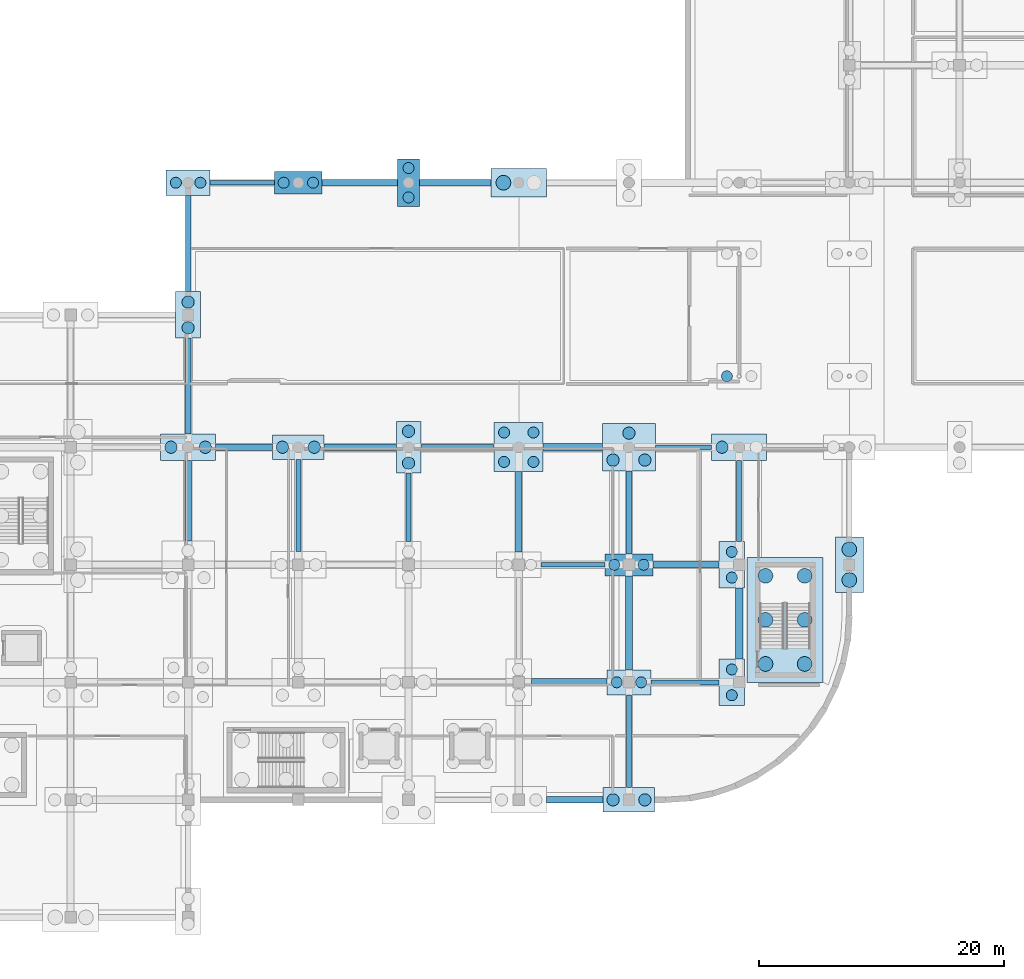
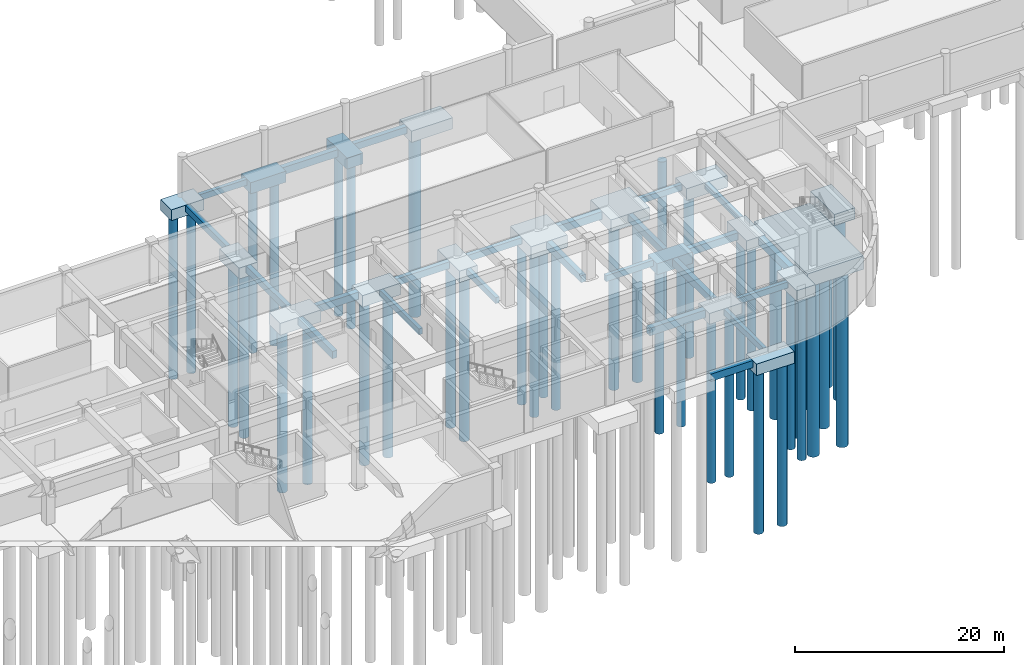
# One storey, part 4 of 47: 42 footings, 42 piles.
"""IFC4 building model written with IfcOpenShell, lengths in metres."""

from ifc_helpers import new_model, si_unit, direction, frame, origin, origin_2d, place, context, subcontext, project, spatial, rectangle, circle, extrude, material, material_profile, profile_set, type_object, element, save


model = new_model("IFC4")

# Units and contexts
model_context = context("Model", 3, precision=1e-05, world=origin(), true_north=direction((0.0, 1.0)))
body_context = subcontext(model_context, "Body", "Model", "MODEL_VIEW")
ifc_project = project(units=[si_unit("LENGTHUNIT", "METRE"), si_unit("AREAUNIT", "SQUARE_METRE"), si_unit("VOLUMEUNIT", "CUBIC_METRE"), si_unit("PLANEANGLEUNIT", "RADIAN"), si_unit("MASSUNIT", "GRAM", prefix="KILO")], contexts=[model_context])

# Site, building, storey
site_placement = place(None, origin())
site = spatial("IfcSite", under=ifc_project, at=site_placement, CompositionType="ELEMENT")
building_placement = place(site_placement, origin())
building = spatial("IfcBuilding", under=site, at=building_placement, Name="Cendralis Terraced Arcade", CompositionType="ELEMENT")
storey_placement = place(building_placement, frame((0.0, 0.0, -4.800048828125)))
storey = spatial("IfcBuildingStorey", under=building, at=storey_placement, Name="B1", CompositionType="ELEMENT", Elevation=-4.800048828125)

# Footings
ifc_material = material(Name="Concrete f'c 35 MPa", Category="concrete")
ifc_material_profile_1 = material_profile(ifc_material, rectangle(XDim=0.39990234375, YDim=0.699951171875, at=origin_2d()), Name="FB-400x700", Category="LoadBearing")
ifc_profile_set_1 = profile_set([ifc_material_profile_1], Name="Concrete f'c 35 MPa")
footing_type_1 = type_object("IfcFootingType", Name="FB-400x700", PredefinedType="FOOTING_BEAM", material=ifc_profile_set_1)
footing_1_placement = place(storey_placement, frame((105.0, 19.199951171875, -0.800048828125), z_axis=(1.0, 0.0, 0.0), x_axis=(0.0, 1.0, 0.0)))
element("IfcFooting", 1, at=footing_1_placement, inside=storey, type_object=footing_type_1, Name="Reinforced Concrete Foundation Tie Beam FB-X-0029", PredefinedType="FOOTING_BEAM", context=body_context, shape_type="SweptSolid", body=[
    extrude(rectangle(XDim=0.39990234375, YDim=0.699951171875, at=origin_2d()), origin(), (0.0, 0.0, 1.0), 5.574951171875),
])
footing_2_placement = place(storey_placement, frame((96.0, 28.800048828125, -0.800048828125), z_axis=(1.0, 0.0, 0.0), x_axis=(0.0, 1.0, 0.0)))
element("IfcFooting", 2, at=footing_2_placement, inside=storey, type_object=footing_type_1, Name="Reinforced Concrete Foundation Tie Beam FB-X-0039", PredefinedType="FOOTING_BEAM", context=body_context, shape_type="SweptSolid", body=[
    extrude(rectangle(XDim=0.39990234375, YDim=0.699951171875, at=origin_2d()), origin(), (0.0, 0.0, 1.0), 5.25),
])
footing_3_placement = place(storey_placement, frame((105.35009765625, 38.39990234375, -0.800048828125), z_axis=(1.0, 0.0, 0.0), x_axis=(0.0, 1.0, 0.0)))
element("IfcFooting", 3, at=footing_3_placement, inside=storey, type_object=footing_type_1, Name="Reinforced Concrete Foundation Tie Beam FB-X-0049", PredefinedType="FOOTING_BEAM", context=body_context, shape_type="SweptSolid", body=[
    extrude(rectangle(XDim=0.39990234375, YDim=0.699951171875, at=origin_2d()), origin(), (0.0, 0.0, 1.0), 4.599853515625),
])
footing_4_placement = place(storey_placement, frame((69.0, 60.0, -0.800048828125), z_axis=(1.0, 0.0, 0.0), x_axis=(0.0, 1.0, 0.0)))
element("IfcFooting", 4, at=footing_4_placement, inside=storey, type_object=footing_type_1, Name="Reinforced Concrete Foundation Tie Beam FB-X-0069", PredefinedType="FOOTING_BEAM", context=body_context, shape_type="SweptSolid", body=[
    extrude(rectangle(XDim=0.39990234375, YDim=0.699951171875, at=origin_2d()), origin(), (0.0, 0.0, 1.0), 5.25),
])
footing_5_placement = place(storey_placement, frame((76.199951171875, 29.875, -0.800048828125), z_axis=(0.0, 1.0, 0.0), x_axis=(-1.0, 0.0, 0.0)))
element("IfcFooting", 5, at=footing_5_placement, inside=storey, type_object=footing_type_1, Name="Reinforced Concrete Foundation Tie Beam FB-Y-0214", PredefinedType="FOOTING_BEAM", context=body_context, shape_type="SweptSolid", body=[
    extrude(rectangle(XDim=0.39990234375, YDim=0.699951171875, at=origin_2d()), origin(), (0.0, 0.0, 1.0), 7.52490234375),
])
footing_6_placement = place(storey_placement, frame((85.199951171875, 30.699951171875, -0.800048828125), z_axis=(0.0, 1.0, 0.0), x_axis=(-1.0, 0.0, 0.0)))
element("IfcFooting", 6, at=footing_6_placement, inside=storey, type_object=footing_type_1, Name="Reinforced Concrete Foundation Tie Beam FB-Y-0219", PredefinedType="FOOTING_BEAM", context=body_context, shape_type="SweptSolid", body=[
    extrude(rectangle(XDim=0.39990234375, YDim=0.699951171875, at=origin_2d()), origin(), (0.0, 0.0, 1.0), 5.60009765625),
])
footing_7_placement = place(storey_placement, frame((103.199951171875, 10.60009765625, -0.800048828125), z_axis=(0.0, 1.0, 0.0), x_axis=(-1.0, 0.0, 0.0)))
element("IfcFooting", 7, at=footing_7_placement, inside=storey, type_object=footing_type_1, Name="Reinforced Concrete Foundation Tie Beam FB-Y-0229", PredefinedType="FOOTING_BEAM", context=body_context, shape_type="SweptSolid", body=[
    extrude(rectangle(XDim=0.39990234375, YDim=0.699951171875, at=origin_2d()), origin(), (0.0, 0.0, 1.0), 7.574951171875),
])
footing_8_placement = place(storey_placement, frame((112.199951171875, 30.699951171875, -0.800048828125), z_axis=(0.0, 1.0, 0.0), x_axis=(-1.0, 0.0, 0.0)))
element("IfcFooting", 8, at=footing_8_placement, inside=storey, type_object=footing_type_1, Name="Reinforced Concrete Foundation Tie Beam FB-Y-0234", PredefinedType="FOOTING_BEAM", context=body_context, shape_type="SweptSolid", body=[
    extrude(rectangle(XDim=0.39990234375, YDim=0.699951171875, at=origin_2d()), origin(), (0.0, 0.0, 1.0), 6.625),
])
ifc_material_profile_2 = material_profile(ifc_material, rectangle(XDim=0.449951171875, YDim=0.75, at=origin_2d()), Name="FB-450x750", Category="LoadBearing")
ifc_profile_set_2 = profile_set([ifc_material_profile_2], Name="Concrete f'c 35 MPa")
footing_type_2 = type_object("IfcFootingType", Name="FB-450x750", PredefinedType="FOOTING_BEAM", material=ifc_profile_set_2)
footing_9_placement = place(storey_placement, frame((86.199951171875, 38.39990234375, -0.824951171875), z_axis=(1.0, 0.0, 0.0), x_axis=(0.0, 1.0, 0.0)))
element("IfcFooting", 9, at=footing_9_placement, inside=storey, type_object=footing_type_2, Name="Reinforced Concrete Foundation Tie Beam FB-X-0047", PredefinedType="FOOTING_BEAM", context=body_context, shape_type="SweptSolid", body=[
    extrude(rectangle(XDim=0.449951171875, YDim=0.75, at=origin_2d()), origin(), (0.0, 0.0, 1.0), 6.0),
])
footing_10_placement = place(storey_placement, frame((67.199951171875, 51.10009765625, -0.824951171875), z_axis=(0.0, 1.0, 0.0), x_axis=(-1.0, 0.0, 0.0)))
element("IfcFooting", 10, at=footing_10_placement, inside=storey, type_object=footing_type_2, Name="Reinforced Concrete Foundation Tie Beam FB-Y-0207", PredefinedType="FOOTING_BEAM", context=body_context, shape_type="SweptSolid", body=[
    extrude(rectangle(XDim=0.449951171875, YDim=0.75, at=origin_2d()), origin(), (0.0, 0.0, 1.0), 7.875),
])
ifc_material_profile_3 = material_profile(ifc_material, rectangle(XDim=0.5, YDim=0.800048828125, at=origin_2d()), Name="FB-500x800", Category="LoadBearing")
ifc_profile_set_3 = profile_set([ifc_material_profile_3], Name="Concrete f'c 35 MPa")
footing_type_3 = type_object("IfcFootingType", Name="FB-500x800", PredefinedType="FOOTING_BEAM", material=ifc_profile_set_3)
footing_11_placement = place(storey_placement, frame((78.300048828125, 38.39990234375, -0.849853515625), z_axis=(1.0, 0.0, 0.0), x_axis=(0.0, 1.0, 0.0)))
element("IfcFooting", 11, at=footing_11_placement, inside=storey, type_object=footing_type_3, Name="Reinforced Concrete Foundation Tie Beam FB-X-0046", PredefinedType="FOOTING_BEAM", context=body_context, shape_type="SweptSolid", body=[
    extrude(rectangle(XDim=0.5, YDim=0.800048828125, at=origin_2d()), origin(), (0.0, 0.0, 1.0), 5.89990234375),
])
footing_12_placement = place(storey_placement, frame((86.10009765625, 60.0, -0.849853515625), z_axis=(1.0, 0.0, 0.0), x_axis=(0.0, 1.0, 0.0)))
element("IfcFooting", 12, at=footing_12_placement, inside=storey, type_object=footing_type_3, Name="Reinforced Concrete Foundation Tie Beam FB-X-0071", PredefinedType="FOOTING_BEAM", context=body_context, shape_type="SweptSolid", body=[
    extrude(rectangle(XDim=0.5, YDim=0.800048828125, at=origin_2d()), origin(), (0.0, 0.0, 1.0), 5.81982421875),
])
footing_13_placement = place(storey_placement, frame((67.199951171875, 39.47509765625, -0.849853515625), z_axis=(0.0, 1.0, 0.0), x_axis=(-1.0, 0.0, 0.0)))
element("IfcFooting", 13, at=footing_13_placement, inside=storey, type_object=footing_type_3, Name="Reinforced Concrete Foundation Tie Beam FB-Y-0206", PredefinedType="FOOTING_BEAM", context=body_context, shape_type="SweptSolid", body=[
    extrude(rectangle(XDim=0.5, YDim=0.800048828125, at=origin_2d()), origin(), (0.0, 0.0, 1.0), 7.824951171875),
])
footing_14_placement = place(storey_placement, frame((103.199951171875, 29.699951171875, -0.849853515625), z_axis=(0.0, 1.0, 0.0), x_axis=(-1.0, 0.0, 0.0)))
element("IfcFooting", 14, at=footing_14_placement, inside=storey, type_object=footing_type_3, Name="Reinforced Concrete Foundation Tie Beam FB-Y-0231", PredefinedType="FOOTING_BEAM", context=body_context, shape_type="SweptSolid", body=[
    extrude(rectangle(XDim=0.5, YDim=0.800048828125, at=origin_2d()), origin(), (0.0, 0.0, 1.0), 6.75),
])
ifc_material_profile_4 = material_profile(ifc_material, rectangle(XDim=0.550048828125, YDim=0.85009765625, at=origin_2d()), Name="FB-550x850", Category="LoadBearing")
ifc_profile_set_4 = profile_set([ifc_material_profile_4], Name="Concrete f'c 35 MPa")
footing_type_4 = type_object("IfcFootingType", Name="FB-550x850", PredefinedType="FOOTING_BEAM", material=ifc_profile_set_4)
footing_15_placement = place(storey_placement, frame((96.449951171875, 9.60009765625, -0.875), z_axis=(1.0, 0.0, 0.0), x_axis=(0.0, 1.0, 0.0)))
element("IfcFooting", 15, at=footing_15_placement, inside=storey, type_object=footing_type_4, Name="Reinforced Concrete Foundation Tie Beam FB-X-0015", PredefinedType="FOOTING_BEAM", context=body_context, shape_type="SweptSolid", body=[
    extrude(rectangle(XDim=0.550048828125, YDim=0.85009765625, at=origin_2d()), origin(), (0.0, 0.0, 1.0), 4.650146484375),
])
footing_16_placement = place(storey_placement, frame((105.14990234375, 28.800048828125, -0.875), z_axis=(1.0, 0.0, 0.0), x_axis=(0.0, 1.0, 0.0)))
element("IfcFooting", 16, at=footing_16_placement, inside=storey, type_object=footing_type_4, Name="Reinforced Concrete Foundation Tie Beam FB-X-0040", PredefinedType="FOOTING_BEAM", context=body_context, shape_type="SweptSolid", body=[
    extrude(rectangle(XDim=0.550048828125, YDim=0.85009765625, at=origin_2d()), origin(), (0.0, 0.0, 1.0), 5.425048828125),
])
footing_17_placement = place(storey_placement, frame((69.449951171875, 38.39990234375, -0.875), z_axis=(1.0, 0.0, 0.0), x_axis=(0.0, 1.0, 0.0)))
element("IfcFooting", 17, at=footing_17_placement, inside=storey, type_object=footing_type_4, Name="Reinforced Concrete Foundation Tie Beam FB-X-0045", PredefinedType="FOOTING_BEAM", context=body_context, shape_type="SweptSolid", body=[
    extrude(rectangle(XDim=0.550048828125, YDim=0.85009765625, at=origin_2d()), origin(), (0.0, 0.0, 1.0), 4.650146484375),
])
footing_18_placement = place(storey_placement, frame((78.14990234375, 60.0, -0.875), z_axis=(1.0, 0.0, 0.0), x_axis=(0.0, 1.0, 0.0)))
element("IfcFooting", 18, at=footing_18_placement, inside=storey, type_object=footing_type_4, Name="Reinforced Concrete Foundation Tie Beam FB-X-0070", PredefinedType="FOOTING_BEAM", context=body_context, shape_type="SweptSolid", body=[
    extrude(rectangle(XDim=0.550048828125, YDim=0.85009765625, at=origin_2d()), origin(), (0.0, 0.0, 1.0), 6.150146484375),
])
for number, where, z_axis, x_axis, name in (
    (19, (67.199951171875, 30.75, -0.875), (0.0, 1.0, 0.0), (-1.0, 0.0, 0.0), "Reinforced Concrete Foundation Tie Beam FB-Y-0205"),
    (20, (94.199951171875, 29.824951171875, -0.875), (0.0, 1.0, 0.0), (-1.0, 0.0, 0.0), "Reinforced Concrete Foundation Tie Beam FB-Y-0225"),
):
    element("IfcFooting", number, at=place(storey_placement, frame(where, z_axis=z_axis, x_axis=x_axis)), inside=storey, type_object=footing_type_4, Name=name, PredefinedType="FOOTING_BEAM", context=body_context, shape_type="SweptSolid", body=[
        extrude(rectangle(XDim=0.550048828125, YDim=0.85009765625, at=origin_2d()), origin(), (0.0, 0.0, 1.0), 6.574951171875),
    ])
footing_19_placement = place(storey_placement, frame((103.199951171875, 20.22509765625, -0.875), z_axis=(0.0, 1.0, 0.0), x_axis=(-1.0, 0.0, 0.0)))
element("IfcFooting", 21, at=footing_19_placement, inside=storey, type_object=footing_type_4, Name="Reinforced Concrete Foundation Tie Beam FB-Y-0230", PredefinedType="FOOTING_BEAM", context=body_context, shape_type="SweptSolid", body=[
    extrude(rectangle(XDim=0.550048828125, YDim=0.85009765625, at=origin_2d()), origin(), (0.0, 0.0, 1.0), 7.6748046875),
])
ifc_material_profile_5 = material_profile(ifc_material, rectangle(XDim=0.60009765625, YDim=0.89990234375, at=origin_2d()), Name="FB-600x900", Category="LoadBearing")
ifc_profile_set_5 = profile_set([ifc_material_profile_5], Name="Concrete f'c 35 MPa")
footing_type_5 = type_object("IfcFootingType", Name="FB-600x900", PredefinedType="FOOTING_BEAM", material=ifc_profile_set_5)
footing_20_placement = place(storey_placement, frame((95.22509765625, 19.199951171875, -0.89990234375), z_axis=(1.0, 0.0, 0.0), x_axis=(0.0, 1.0, 0.0)))
element("IfcFooting", 22, at=footing_20_placement, inside=storey, type_object=footing_type_5, Name="Reinforced Concrete Foundation Tie Beam FB-X-0028", PredefinedType="FOOTING_BEAM", context=body_context, shape_type="SweptSolid", body=[
    extrude(rectangle(XDim=0.60009765625, YDim=0.89990234375, at=origin_2d()), origin(), (0.0, 0.0, 1.0), 6.1748046875),
])
footing_21_placement = place(storey_placement, frame((96.199951171875, 38.39990234375, -0.89990234375), z_axis=(1.0, 0.0, 0.0), x_axis=(0.0, 1.0, 0.0)))
element("IfcFooting", 23, at=footing_21_placement, inside=storey, type_object=footing_type_5, Name="Reinforced Concrete Foundation Tie Beam FB-X-0048", PredefinedType="FOOTING_BEAM", context=body_context, shape_type="SweptSolid", body=[
    extrude(rectangle(XDim=0.60009765625, YDim=0.89990234375, at=origin_2d()), origin(), (0.0, 0.0, 1.0), 4.85009765625),
])
footing_22_placement = place(storey_placement, frame((112.199951171875, 21.10009765625, -0.89990234375), z_axis=(0.0, 1.0, 0.0), x_axis=(-1.0, 0.0, 0.0)))
element("IfcFooting", 24, at=footing_22_placement, inside=storey, type_object=footing_type_5, Name="Reinforced Concrete Foundation Tie Beam FB-Y-0233", PredefinedType="FOOTING_BEAM", context=body_context, shape_type="SweptSolid", body=[
    extrude(rectangle(XDim=0.60009765625, YDim=0.89990234375, at=origin_2d()), origin(), (0.0, 0.0, 1.0), 5.7998046875),
])
footing_type_6 = type_object("IfcFootingType", Name="PC-2P-1800x3900x1300", PredefinedType="PILE_CAP", material=ifc_material)
footing_23_placement = place(storey_placement, frame((85.199951171875, 60.0, -1.75), z_axis=(0.0, 0.0, 1.0), x_axis=(1.0, 0.0, 0.0)))
element("IfcFooting", 25, at=footing_23_placement, inside=storey, type_object=footing_type_6, Name="Reinforced Concrete Bored Pile Cap CAP-G10-G", PredefinedType="PILE_CAP", context=body_context, shape_type="SweptSolid", body=[
    extrude(rectangle(XDim=1.800048828125, YDim=3.89990234375, at=origin_2d()), origin(), (0.0, 0.0, 1.0), 1.300048828125),
])
footing_type_7 = type_object("IfcFootingType", Name="PC-2P-2000x4200x1350", PredefinedType="PILE_CAP", material=ifc_material)
footing_24_placement = place(storey_placement, frame((85.199951171875, 38.39990234375, -1.800048828125), z_axis=(0.0, 0.0, 1.0), x_axis=(1.0, 0.0, 0.0)))
element("IfcFooting", 26, at=footing_24_placement, inside=storey, type_object=footing_type_7, Name="Reinforced Concrete Bored Pile Cap CAP-G10-E", PredefinedType="PILE_CAP", context=body_context, shape_type="SweptSolid", body=[
    extrude(rectangle(XDim=2.0, YDim=4.199951171875, at=origin_2d()), origin(), (0.0, 0.0, 1.0), 1.35009765625),
])
footing_type_8 = type_object("IfcFootingType", Name="PC-2P-2050x3800x1280", PredefinedType="PILE_CAP", material=ifc_material)
for number, where, z_axis, x_axis, name in (
    (27, (111.60009765625, 19.199951171875, -1.72998046875), (0.0, 0.0, 1.0), (1.0, 0.0, 0.0), "Reinforced Concrete Bored Pile Cap CAP-G13-C"),
    (28, (111.60009765625, 28.800048828125, -1.72998046875), (0.0, 0.0, 1.0), (1.0, 0.0, 0.0), "Reinforced Concrete Bored Pile Cap CAP-G13-D"),
    (29, (67.199951171875, 49.199951171875, -1.72998046875), (0.0, 0.0, 1.0), (1.0, 0.0, 0.0), "Reinforced Concrete Bored Pile Cap CAP-G8-F"),
):
    element("IfcFooting", number, at=place(storey_placement, frame(where, z_axis=z_axis, x_axis=x_axis)), inside=storey, type_object=footing_type_8, Name=name, PredefinedType="PILE_CAP", context=body_context, shape_type="SweptSolid", body=[
        extrude(rectangle(XDim=2.050048828125, YDim=3.800048828125, at=origin_2d()), origin(), (0.0, 0.0, 1.0), 1.280029296875),
    ])
footing_type_9 = type_object("IfcFootingType", Name="PC-2P-2300x4560x1320", PredefinedType="PILE_CAP", material=ifc_material)
footing_25_placement = place(storey_placement, frame((121.199951171875, 28.800048828125, -1.77001953125), z_axis=(0.0, 0.0, 1.0), x_axis=(1.0, 0.0, 0.0)))
element("IfcFooting", 30, at=footing_25_placement, inside=storey, type_object=footing_type_9, Name="Reinforced Concrete Bored Pile Cap CAP-G14-D", PredefinedType="PILE_CAP", context=body_context, shape_type="SweptSolid", body=[
    extrude(rectangle(XDim=2.300048828125, YDim=4.56005859375, at=origin_2d()), origin(), (0.0, 0.0, 1.0), 1.320068359375),
])
footing_type_10 = type_object("IfcFootingType", Name="PC-2P-3600x2050x1260", PredefinedType="PILE_CAP", material=ifc_material)
for number, where, z_axis, x_axis, name in (
    (31, (103.199951171875, 19.199951171875, -1.7099609375), (0.0, 0.0, 1.0), (1.0, 0.0, 0.0), "Reinforced Concrete Bored Pile Cap CAP-G12-C"),
    (32, (67.199951171875, 60.0, -1.7099609375), (0.0, 0.0, 1.0), (1.0, 0.0, 0.0), "Reinforced Concrete Bored Pile Cap CAP-G8-G"),
):
    element("IfcFooting", number, at=place(storey_placement, frame(where, z_axis=z_axis, x_axis=x_axis)), inside=storey, type_object=footing_type_10, Name=name, PredefinedType="PILE_CAP", context=body_context, shape_type="SweptSolid", body=[
        extrude(rectangle(XDim=3.60009765625, YDim=2.050048828125, at=origin_2d()), origin(), (0.0, 0.0, 1.0), 1.260009765625),
    ])
footing_type_11 = type_object("IfcFootingType", Name="PC-2P-3900x1800x1300", PredefinedType="PILE_CAP", material=ifc_material)
for number, where, z_axis, x_axis, name in (
    (33, (103.199951171875, 28.800048828125, -1.75), (0.0, 0.0, 1.0), (1.0, 0.0, 0.0), "Reinforced Concrete Bored Pile Cap CAP-G12-D"),
    (34, (76.199951171875, 60.0, -1.75), (0.0, 0.0, 1.0), (1.0, 0.0, 0.0), "Reinforced Concrete Bored Pile Cap CAP-G9-G"),
):
    element("IfcFooting", number, at=place(storey_placement, frame(where, z_axis=z_axis, x_axis=x_axis)), inside=storey, type_object=footing_type_11, Name=name, PredefinedType="PILE_CAP", context=body_context, shape_type="SweptSolid", body=[
        extrude(rectangle(XDim=3.89990234375, YDim=1.800048828125, at=origin_2d()), origin(), (0.0, 0.0, 1.0), 1.300048828125),
    ])
footing_type_12 = type_object("IfcFootingType", Name="PC-2P-4200x2000x1350", PredefinedType="PILE_CAP", material=ifc_material)
for number, where, z_axis, x_axis, name in (
    (35, (103.199951171875, 9.60009765625, -1.800048828125), (0.0, 0.0, 1.0), (1.0, 0.0, 0.0), "Reinforced Concrete Bored Pile Cap CAP-G12-B"),
    (36, (76.199951171875, 38.39990234375, -1.800048828125), (0.0, 0.0, 1.0), (1.0, 0.0, 0.0), "Reinforced Concrete Bored Pile Cap CAP-G9-E"),
):
    element("IfcFooting", number, at=place(storey_placement, frame(where, z_axis=z_axis, x_axis=x_axis)), inside=storey, type_object=footing_type_12, Name=name, PredefinedType="PILE_CAP", context=body_context, shape_type="SweptSolid", body=[
        extrude(rectangle(XDim=4.199951171875, YDim=2.0, at=origin_2d()), origin(), (0.0, 0.0, 1.0), 1.35009765625),
    ])
footing_type_13 = type_object("IfcFootingType", Name="PC-2P-4500x2150x1380", PredefinedType="PILE_CAP", material=ifc_material)
for number, where, z_axis, x_axis, name in (
    (37, (112.199951171875, 38.39990234375, -1.829833984375), (0.0, 0.0, 1.0), (1.0, 0.0, 0.0), "Reinforced Concrete Bored Pile Cap CAP-G13-E"),
    (38, (67.199951171875, 38.39990234375, -1.829833984375), (0.0, 0.0, 1.0), (1.0, 0.0, 0.0), "Reinforced Concrete Bored Pile Cap CAP-G8-E"),
):
    element("IfcFooting", number, at=place(storey_placement, frame(where, z_axis=z_axis, x_axis=x_axis)), inside=storey, type_object=footing_type_13, Name=name, PredefinedType="PILE_CAP", context=body_context, shape_type="SweptSolid", body=[
        extrude(rectangle(XDim=4.5, YDim=2.14990234375, at=origin_2d()), origin(), (0.0, 0.0, 1.0), 1.3798828125),
    ])
footing_type_14 = type_object("IfcFootingType", Name="PC-2P-4560x2300x1320", PredefinedType="PILE_CAP", material=ifc_material)
footing_26_placement = place(storey_placement, frame((94.199951171875, 60.0, -1.77001953125), z_axis=(0.0, 0.0, 1.0), x_axis=(1.0, 0.0, 0.0)))
element("IfcFooting", 39, at=footing_26_placement, inside=storey, type_object=footing_type_14, Name="Reinforced Concrete Bored Pile Cap CAP-G11-G", PredefinedType="PILE_CAP", context=body_context, shape_type="SweptSolid", body=[
    extrude(rectangle(XDim=4.56005859375, YDim=2.300048828125, at=origin_2d()), origin(), (0.0, 0.0, 1.0), 1.320068359375),
])
footing_type_15 = type_object("IfcFootingType", Name="PC-3P-4300x3900x1400", PredefinedType="PILE_CAP", material=ifc_material)
footing_27_placement = place(storey_placement, frame((103.199951171875, 38.39990234375, -1.849853515625), z_axis=(0.0, 0.0, 1.0), x_axis=(1.0, 0.0, 0.0)))
element("IfcFooting", 40, at=footing_27_placement, inside=storey, type_object=footing_type_15, Name="Reinforced Concrete Bored Pile Cap CAP-G12-E", PredefinedType="PILE_CAP", context=body_context, shape_type="SweptSolid", body=[
    extrude(rectangle(XDim=4.300048828125, YDim=3.89990234375, at=origin_2d()), origin(), (0.0, 0.0, 1.0), 1.39990234375),
])
footing_type_16 = type_object("IfcFootingType", Name="PC-4P-4000x4000x1450", PredefinedType="PILE_CAP", material=ifc_material)
footing_28_placement = place(storey_placement, frame((94.199951171875, 38.39990234375, -1.89990234375), z_axis=(0.0, 0.0, 1.0), x_axis=(1.0, 0.0, 0.0)))
element("IfcFooting", 41, at=footing_28_placement, inside=storey, type_object=footing_type_16, Name="Reinforced Concrete Bored Pile Cap CAP-G11-E", PredefinedType="PILE_CAP", context=body_context, shape_type="SweptSolid", body=[
    extrude(rectangle(XDim=4.0, YDim=4.0, at=origin_2d()), origin(), (0.0, 0.0, 1.0), 1.449951171875),
])
footing_type_17 = type_object("IfcFootingType", Name="PC-CORE-6200x10200x1600", PredefinedType="PILE_CAP", material=ifc_material)
footing_29_placement = place(storey_placement, frame((115.949951171875, 24.300048828125, -2.050048828125), z_axis=(0.0, 0.0, 1.0), x_axis=(1.0, 0.0, 0.0)))
element("IfcFooting", 42, at=footing_29_placement, inside=storey, type_object=footing_type_17, Name="Reinforced Concrete Bored Pile Cap CAP-ST-09", PredefinedType="PILE_CAP", context=body_context, shape_type="SweptSolid", body=[
    extrude(rectangle(XDim=6.199951171875, YDim=10.199951171875, at=origin_2d()), origin(), (0.0, 0.0, 1.0), 1.60009765625),
])

# Piles
ifc_material_profile_6 = material_profile(ifc_material, circle(Radius=0.5, at=origin_2d()), Name="PILE-D1000", Category="LoadBearing")
ifc_profile_set_6 = profile_set([ifc_material_profile_6], Name="Concrete f'c 35 MPa")
pile_type_1 = type_object("IfcPileType", Name="PILE-1000", PredefinedType="BORED", material=ifc_profile_set_6)
for number, where, z_axis, x_axis, name in (
    (43, (85.199951171875, 37.10009765625, -1.699951171875), (0.0, 0.0, -1.0), (1.0, 0.0, 0.0), "Bored Concrete Pile PILE-C-CAP-G10-E-2-0_-130"),
    (44, (85.199951171875, 39.699951171875, -1.699951171875), (0.0, 0.0, -1.0), (1.0, 0.0, 0.0), "Bored Concrete Pile PILE-C-CAP-G10-E-2-0_130"),
    (45, (101.89990234375, 9.60009765625, -1.699951171875), (0.0, 0.0, -1.0), (1.0, 0.0, 0.0), "Bored Concrete Pile PILE-C-CAP-G12-B-2--130_0"),
    (46, (104.5, 9.60009765625, -1.699951171875), (0.0, 0.0, -1.0), (1.0, 0.0, 0.0), "Bored Concrete Pile PILE-C-CAP-G12-B-2-130_0"),
):
    element("IfcPile", number, at=place(storey_placement, frame(where, z_axis=z_axis, x_axis=x_axis)), inside=storey, type_object=pile_type_1, Name=name, PredefinedType="BORED", context=body_context, shape_type="SweptSolid", body=[
        extrude(circle(Radius=0.5, at=origin_2d()), origin(), (0.0, 0.0, 1.0), 19.199951171875),
    ])
for number, where, z_axis, x_axis, name in (
    (47, (101.89990234375, 37.35009765625, -1.75), (0.0, 0.0, -1.0), (1.0, 0.0, 0.0), "Bored Concrete Pile PILE-C-CAP-G12-E-3--130_-105"),
    (48, (104.5, 37.35009765625, -1.75), (0.0, 0.0, -1.0), (1.0, 0.0, 0.0), "Bored Concrete Pile PILE-C-CAP-G12-E-3-130_-105"),
    (49, (103.199951171875, 39.550048828125, -1.75), (0.0, 0.0, -1.0), (1.0, 0.0, 0.0), "Bored Concrete Pile PILE-C-CAP-G12-E-3-0_115"),
):
    element("IfcPile", number, at=place(storey_placement, frame(where, z_axis=z_axis, x_axis=x_axis)), inside=storey, type_object=pile_type_1, Name=name, PredefinedType="BORED", context=body_context, shape_type="SweptSolid", body=[
        extrude(circle(Radius=0.5, at=origin_2d()), origin(), (0.0, 0.0, 1.0), 19.14990234375),
    ])
for number, where, z_axis, x_axis, name in (
    (50, (110.800048828125, 38.39990234375, -1.72998046875), (0.0, 0.0, -1.0), (1.0, 0.0, 0.0), "Bored Concrete Pile PILE-C-CAP-G13-E-2--140_0"),
    (51, (65.800048828125, 38.39990234375, -1.72998046875), (0.0, 0.0, -1.0), (1.0, 0.0, 0.0), "Bored Concrete Pile PILE-C-CAP-G8-E-2--140_0"),
    (52, (68.60009765625, 38.39990234375, -1.72998046875), (0.0, 0.0, -1.0), (1.0, 0.0, 0.0), "Bored Concrete Pile PILE-C-CAP-G8-E-2-140_0"),
):
    element("IfcPile", number, at=place(storey_placement, frame(where, z_axis=z_axis, x_axis=x_axis)), inside=storey, type_object=pile_type_1, Name=name, PredefinedType="BORED", context=body_context, shape_type="SweptSolid", body=[
        extrude(circle(Radius=0.5, at=origin_2d()), origin(), (0.0, 0.0, 1.0), 19.169921875),
    ])
for number, where, z_axis, x_axis, name in (
    (53, (67.199951171875, 48.14990234375, -1.6298828125), (0.0, 0.0, -1.0), (1.0, 0.0, 0.0), "Bored Concrete Pile PILE-C-CAP-G8-F-1-0_-105"),
    (54, (67.199951171875, 50.25, -1.6298828125), (0.0, 0.0, -1.0), (1.0, 0.0, 0.0), "Bored Concrete Pile PILE-B-CAP-G8-F-1"),
):
    element("IfcPile", number, at=place(storey_placement, frame(where, z_axis=z_axis, x_axis=x_axis)), inside=storey, type_object=pile_type_1, Name=name, PredefinedType="BORED", context=body_context, shape_type="SweptSolid", body=[
        extrude(circle(Radius=0.5, at=origin_2d()), origin(), (0.0, 0.0, 1.0), 19.27001953125),
    ])
for number, where, z_axis, x_axis, name in (
    (55, (74.89990234375, 38.39990234375, -1.699951171875), (0.0, 0.0, -1.0), (1.0, 0.0, 0.0), "Bored Concrete Pile PILE-C-CAP-G9-E-2--130_0"),
    (56, (77.5, 38.39990234375, -1.699951171875), (0.0, 0.0, -1.0), (1.0, 0.0, 0.0), "Bored Concrete Pile PILE-C-CAP-G9-E-2-130_0"),
):
    element("IfcPile", number, at=place(storey_placement, frame(where, z_axis=z_axis, x_axis=x_axis)), inside=storey, type_object=pile_type_1, Name=name, PredefinedType="BORED", context=body_context, shape_type="SweptSolid", body=[
        extrude(circle(Radius=0.5, at=origin_2d()), origin(), (0.0, 0.0, 1.0), 19.199951171875),
    ])
ifc_material_profile_7 = material_profile(ifc_material, circle(Radius=0.60009765625, at=origin_2d()), Name="PILE-D1200", Category="LoadBearing")
ifc_profile_set_7 = profile_set([ifc_material_profile_7], Name="Concrete f'c 35 MPa")
pile_type_2 = type_object("IfcPileType", Name="PILE-1200", PredefinedType="BORED", material=ifc_profile_set_7)
for number, where, z_axis, x_axis, name in (
    (57, (114.35009765625, 20.699951171875, -1.949951171875), (0.0, 0.0, -1.0), (1.0, 0.0, 0.0), "Bored Concrete Pile PILE-C-CAP-ST-09-6--160_-360"),
    (58, (117.550048828125, 20.699951171875, -1.949951171875), (0.0, 0.0, -1.0), (1.0, 0.0, 0.0), "Bored Concrete Pile PILE-C-CAP-ST-09-6-160_-360"),
    (59, (114.35009765625, 24.300048828125, -1.949951171875), (0.0, 0.0, -1.0), (1.0, 0.0, 0.0), "Bored Concrete Pile PILE-C-CAP-ST-09-6--160_0"),
    (60, (117.550048828125, 24.300048828125, -1.949951171875), (0.0, 0.0, -1.0), (1.0, 0.0, 0.0), "Bored Concrete Pile PILE-C-CAP-ST-09-6-160_0"),
    (61, (114.35009765625, 27.89990234375, -1.949951171875), (0.0, 0.0, -1.0), (1.0, 0.0, 0.0), "Bored Concrete Pile PILE-C-CAP-ST-09-6--160_360"),
    (62, (117.550048828125, 27.89990234375, -1.949951171875), (0.0, 0.0, -1.0), (1.0, 0.0, 0.0), "Bored Concrete Pile PILE-C-CAP-ST-09-6-160_360"),
):
    element("IfcPile", number, at=place(storey_placement, frame(where, z_axis=z_axis, x_axis=x_axis)), inside=storey, type_object=pile_type_2, Name=name, PredefinedType="BORED", context=body_context, shape_type="SweptSolid", body=[
        extrude(circle(Radius=0.60009765625, at=origin_2d()), origin(), (0.0, 0.0, 1.0), 20.949951171875),
    ])
for number, where, z_axis, x_axis, name in (
    (63, (92.949951171875, 60.0, -1.669921875), (0.0, 0.0, -1.0), (1.0, 0.0, 0.0), "Bored Concrete Pile PILE-C-CAP-G11-G-1--125_0"),
    (64, (121.199951171875, 27.550048828125, -1.669921875), (0.0, 0.0, -1.0), (1.0, 0.0, 0.0), "Bored Concrete Pile PILE-C-CAP-G14-D-1-0_-125"),
    (65, (121.199951171875, 30.050048828125, -1.669921875), (0.0, 0.0, -1.0), (1.0, 0.0, 0.0), "Bored Concrete Pile PILE-B-CAP-G14-D-1"),
):
    element("IfcPile", number, at=place(storey_placement, frame(where, z_axis=z_axis, x_axis=x_axis)), inside=storey, type_object=pile_type_2, Name=name, PredefinedType="BORED", context=body_context, shape_type="SweptSolid", body=[
        extrude(circle(Radius=0.60009765625, at=origin_2d()), origin(), (0.0, 0.0, 1.0), 21.22998046875),
    ])
ifc_material_profile_8 = material_profile(ifc_material, circle(Radius=0.449951171875, at=origin_2d()), Name="PILE-D900", Category="LoadBearing")
ifc_profile_set_8 = profile_set([ifc_material_profile_8], Name="Concrete f'c 35 MPa")
pile_type_3 = type_object("IfcPileType", Name="PILE-900", PredefinedType="BORED", material=ifc_profile_set_8)
for number, where, z_axis, x_axis, name in (
    (66, (85.199951171875, 58.800048828125, -1.64990234375), (0.0, 0.0, -1.0), (1.0, 0.0, 0.0), "Bored Concrete Pile PILE-C-CAP-G10-G-2-0_-120"),
    (67, (85.199951171875, 61.199951171875, -1.64990234375), (0.0, 0.0, -1.0), (1.0, 0.0, 0.0), "Bored Concrete Pile PILE-C-CAP-G10-G-2-0_120"),
):
    element("IfcPile", number, at=place(storey_placement, frame(where, z_axis=z_axis, x_axis=x_axis)), inside=storey, type_object=pile_type_3, Name=name, PredefinedType="BORED", context=body_context, shape_type="SweptSolid", body=[
        extrude(circle(Radius=0.449951171875, at=origin_2d()), origin(), (0.0, 0.0, 1.0), 19.25),
    ])
for number, where, z_axis, x_axis, name in (
    (68, (93.0, 37.199951171875, -1.800048828125), (0.0, 0.0, -1.0), (1.0, 0.0, 0.0), "Bored Concrete Pile PILE-C-CAP-G11-E-4--120_-120"),
    (69, (95.39990234375, 37.199951171875, -1.800048828125), (0.0, 0.0, -1.0), (1.0, 0.0, 0.0), "Bored Concrete Pile PILE-C-CAP-G11-E-4-120_-120"),
    (70, (93.0, 39.60009765625, -1.800048828125), (0.0, 0.0, -1.0), (1.0, 0.0, 0.0), "Bored Concrete Pile PILE-C-CAP-G11-E-4--120_120"),
    (71, (95.39990234375, 39.60009765625, -1.800048828125), (0.0, 0.0, -1.0), (1.0, 0.0, 0.0), "Bored Concrete Pile PILE-C-CAP-G11-E-4-120_120"),
):
    element("IfcPile", number, at=place(storey_placement, frame(where, z_axis=z_axis, x_axis=x_axis)), inside=storey, type_object=pile_type_3, Name=name, PredefinedType="BORED", context=body_context, shape_type="SweptSolid", body=[
        extrude(circle(Radius=0.449951171875, at=origin_2d()), origin(), (0.0, 0.0, 1.0), 19.10009765625),
    ])
for number, where, z_axis, x_axis, name in (
    (72, (102.199951171875, 19.199951171875, -1.60986328125), (0.0, 0.0, -1.0), (1.0, 0.0, 0.0), "Bored Concrete Pile PILE-C-CAP-G12-C-1--100_0"),
    (73, (104.199951171875, 19.199951171875, -1.60986328125), (0.0, 0.0, -1.0), (1.0, 0.0, 0.0), "Bored Concrete Pile PILE-B-CAP-G12-C-1"),
):
    element("IfcPile", number, at=place(storey_placement, frame(where, z_axis=z_axis, x_axis=x_axis)), inside=storey, type_object=pile_type_3, Name=name, PredefinedType="BORED", context=body_context, shape_type="SweptSolid", body=[
        extrude(circle(Radius=0.449951171875, at=origin_2d()), origin(), (0.0, 0.0, 1.0), 19.2900390625),
    ])
for number, where, z_axis, x_axis, name in (
    (74, (102.0, 28.800048828125, -1.64990234375), (0.0, 0.0, -1.0), (1.0, 0.0, 0.0), "Bored Concrete Pile PILE-C-CAP-G12-D-2--120_0"),
    (75, (104.39990234375, 28.800048828125, -1.64990234375), (0.0, 0.0, -1.0), (1.0, 0.0, 0.0), "Bored Concrete Pile PILE-C-CAP-G12-D-2-120_0"),
):
    element("IfcPile", number, at=place(storey_placement, frame(where, z_axis=z_axis, x_axis=x_axis)), inside=storey, type_object=pile_type_3, Name=name, PredefinedType="BORED", context=body_context, shape_type="SweptSolid", body=[
        extrude(circle(Radius=0.449951171875, at=origin_2d()), origin(), (0.0, 0.0, 1.0), 19.25),
    ])
for number, where, z_axis, x_axis, name in (
    (76, (111.60009765625, 18.14990234375, -1.6298828125), (0.0, 0.0, -1.0), (1.0, 0.0, 0.0), "Bored Concrete Pile PILE-C-CAP-G13-C-1-0_-105"),
    (77, (111.60009765625, 20.25, -1.6298828125), (0.0, 0.0, -1.0), (1.0, 0.0, 0.0), "Bored Concrete Pile PILE-B-CAP-G13-C-1"),
    (78, (111.60009765625, 27.75, -1.6298828125), (0.0, 0.0, -1.0), (1.0, 0.0, 0.0), "Bored Concrete Pile PILE-C-CAP-G13-D-1-0_-105"),
    (79, (111.60009765625, 29.85009765625, -1.6298828125), (0.0, 0.0, -1.0), (1.0, 0.0, 0.0), "Bored Concrete Pile PILE-B-CAP-G13-D-1"),
):
    element("IfcPile", number, at=place(storey_placement, frame(where, z_axis=z_axis, x_axis=x_axis)), inside=storey, type_object=pile_type_3, Name=name, PredefinedType="BORED", context=body_context, shape_type="SweptSolid", body=[
        extrude(circle(Radius=0.449951171875, at=origin_2d()), origin(), (0.0, 0.0, 1.0), 19.27001953125),
    ])
for number, where, z_axis, x_axis, name in (
    (80, (66.199951171875, 60.0, -1.60986328125), (0.0, 0.0, -1.0), (1.0, 0.0, 0.0), "Bored Concrete Pile PILE-C-CAP-G8-G-1--100_0"),
    (81, (68.199951171875, 60.0, -1.60986328125), (0.0, 0.0, -1.0), (1.0, 0.0, 0.0), "Bored Concrete Pile PILE-B-CAP-G8-G-1"),
):
    element("IfcPile", number, at=place(storey_placement, frame(where, z_axis=z_axis, x_axis=x_axis)), inside=storey, type_object=pile_type_3, Name=name, PredefinedType="BORED", context=body_context, shape_type="SweptSolid", body=[
        extrude(circle(Radius=0.449951171875, at=origin_2d()), origin(), (0.0, 0.0, 1.0), 19.2900390625),
    ])
for number, where, z_axis, x_axis, name in (
    (82, (75.0, 60.0, -1.64990234375), (0.0, 0.0, -1.0), (1.0, 0.0, 0.0), "Bored Concrete Pile PILE-C-CAP-G9-G-2--120_0"),
    (83, (77.39990234375, 60.0, -1.64990234375), (0.0, 0.0, -1.0), (1.0, 0.0, 0.0), "Bored Concrete Pile PILE-C-CAP-G9-G-2-120_0"),
):
    element("IfcPile", number, at=place(storey_placement, frame(where, z_axis=z_axis, x_axis=x_axis)), inside=storey, type_object=pile_type_3, Name=name, PredefinedType="BORED", context=body_context, shape_type="SweptSolid", body=[
        extrude(circle(Radius=0.449951171875, at=origin_2d()), origin(), (0.0, 0.0, 1.0), 19.25),
    ])
pile_placement = place(storey_placement, frame((111.199951171875, 44.199951171875, -1.60986328125), z_axis=(0.0, 0.0, -1.0), x_axis=(1.0, 0.0, 0.0)))
element("IfcPile", 84, at=pile_placement, inside=storey, type_object=pile_type_3, Name="Bored Concrete Pile PILE-C-CAP-BRG-112-44-1--100_0", PredefinedType="BORED", context=body_context, shape_type="SweptSolid", body=[
    extrude(circle(Radius=0.449951171875, at=origin_2d()), origin(), (0.0, 0.0, 1.0), 19.2900390625),
])

save(model, "model.ifc")
